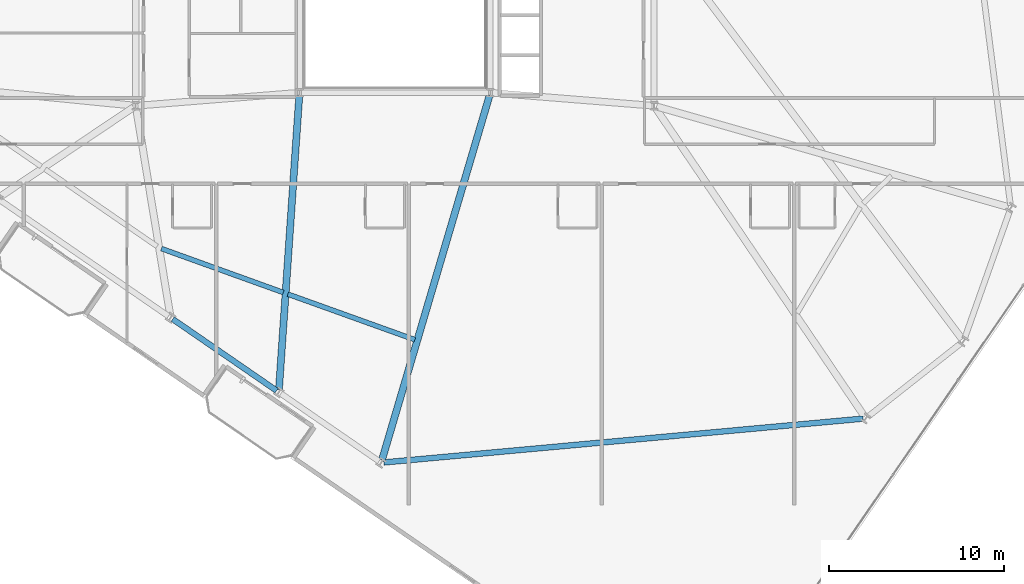
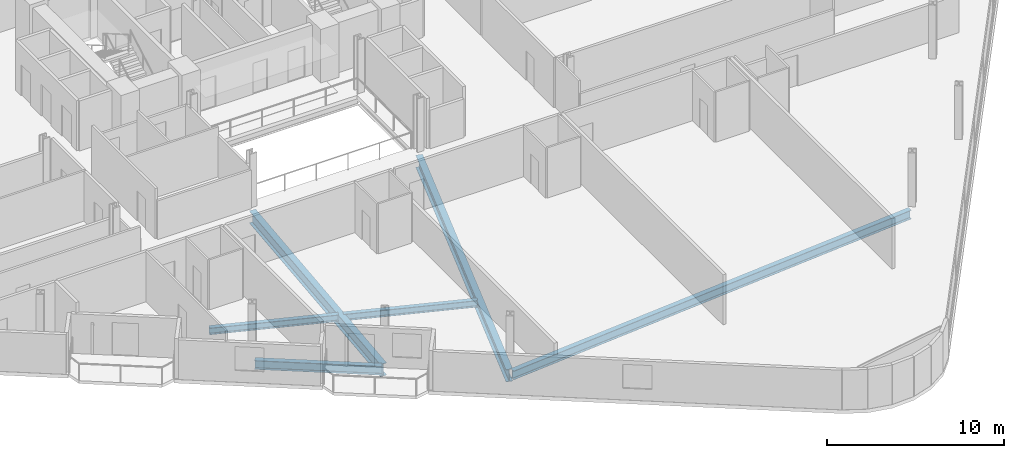
# One storey, part 3 of 26: 6 beams.
"""IFC4 building model written with IfcOpenShell, lengths in metres."""

from ifc_helpers import new_model, si_unit, direction, frame, origin, origin_2d, place, context, subcontext, project, spatial, i_section, extrude, material, material_profile, profile_set, type_object, element, save


model = new_model("IFC4")

# Units and contexts
model_context = context("Model", 3, precision=1e-05, world=origin(), true_north=direction((0.0, 1.0)))
body_context = subcontext(model_context, "Body", "Model", "MODEL_VIEW")
ifc_project = project(units=[si_unit("LENGTHUNIT", "METRE"), si_unit("AREAUNIT", "SQUARE_METRE"), si_unit("VOLUMEUNIT", "CUBIC_METRE"), si_unit("PLANEANGLEUNIT", "RADIAN"), si_unit("MASSUNIT", "GRAM", prefix="KILO")], contexts=[model_context])

# Site, building, storey
site_placement = place(None, origin())
site = spatial("IfcSite", under=ifc_project, at=site_placement, CompositionType="ELEMENT")
building_placement = place(site_placement, origin())
building = spatial("IfcBuilding", under=site, at=building_placement, Name="Varnelok Gate Tower", CompositionType="ELEMENT")
storey_placement = place(building_placement, frame((0.0, 0.0, 45.5)))
storey = spatial("IfcBuildingStorey", under=building, at=storey_placement, Name="L10", CompositionType="ELEMENT", Elevation=45.5)

# Beams
ifc_material = material(Name="Structural Steel ASTM A992 Grade 50", Category="steel")
ifc_material_profile_1 = material_profile(ifc_material, i_section(OverallWidth=0.280029296875, OverallDepth=0.462890625, WebThickness=0.0107421875, FlangeThickness=0.017333984375, FilletRadius=0.014892578125, at=origin_2d()), Name="W18X76")
ifc_profile_set_1 = profile_set([ifc_material_profile_1], Name="Structural Steel ASTM A992 Grade 50")
beam_type_1 = type_object("IfcBeamType", Name="BM-JST-W18X76", PredefinedType="JOIST", material=ifc_profile_set_1)
beam_1_placement = place(storey_placement, frame((25.86572265625, 10.648681640625, -0.4814453125), z_axis=(0.940777992095, -0.339023258183, 0.0), x_axis=(0.339023258183, 0.940777992095, 0.0)))
element("IfcBeam", 1, at=beam_1_placement, inside=storey, type_object=beam_type_1, Name="L10 Sector Floor Joist 3", PredefinedType="JOIST", context=body_context, shape_type="SweptSolid", body=[
    extrude(i_section(OverallWidth=0.280029296875, OverallDepth=0.462890625, WebThickness=0.0107421875, FlangeThickness=0.017333984375, FilletRadius=0.014892578125, at=origin_2d()), origin(), (0.0, 0.0, 1.0), 7.398681640625),
])
beam_2_placement = place(storey_placement, frame((33.089599609375, 8.0458984375, -0.4814453125), z_axis=(0.941149704194, -0.337989991412, 0.0), x_axis=(0.337989991412, 0.941149704194, 0.0)))
element("IfcBeam", 2, at=beam_2_placement, inside=storey, type_object=beam_type_1, Name="L10 Sector Floor Joist 4", PredefinedType="JOIST", context=body_context, shape_type="SweptSolid", body=[
    extrude(i_section(OverallWidth=0.280029296875, OverallDepth=0.462890625, WebThickness=0.0107421875, FlangeThickness=0.017333984375, FilletRadius=0.014892578125, at=origin_2d()), origin(), (0.0, 0.0, 1.0), 7.704345703125),
])
ifc_material_profile_2 = material_profile(ifc_material, i_section(OverallWidth=0.39892578125, OverallDepth=0.85498046875, WebThickness=0.018310546875, FlangeThickness=0.029296875, FilletRadius=0.02392578125, at=origin_2d()), Name="W33X201")
ifc_profile_set_2 = profile_set([ifc_material_profile_2], Name="Structural Steel ASTM A992 Grade 50")
beam_type_2 = type_object("IfcBeamType", Name="BM-PRI-W33X201", PredefinedType="BEAM", material=ifc_profile_set_2)
beam_3_placement = place(storey_placement, frame((33.73974609375, 19.400390625, -0.677490234375), z_axis=(-0.068990652765, -0.997617306301, 0.0), x_axis=(0.997617306301, -0.068990652765, 0.0)))
element("IfcBeam", 3, at=beam_3_placement, inside=storey, type_object=beam_type_2, Name="L10 Radial Floor Girder 4", PredefinedType="BEAM", context=body_context, shape_type="SweptSolid", body=[
    extrude(i_section(OverallWidth=0.39892578125, OverallDepth=0.85498046875, WebThickness=0.018310546875, FlangeThickness=0.029296875, FilletRadius=0.02392578125, at=origin_2d()), origin(), (0.0, 0.0, 1.0), 16.8408203125),
])
beam_4_placement = place(storey_placement, frame((44.607421875, 19.406005859375, -0.677490234375), z_axis=(-0.283059829362, -0.959102253673, 0.0), x_axis=(0.959102253673, -0.283059829362, 0.0)))
element("IfcBeam", 4, at=beam_4_placement, inside=storey, type_object=beam_type_2, Name="L10 Radial Floor Girder 5", PredefinedType="BEAM", context=body_context, shape_type="SweptSolid", body=[
    extrude(i_section(OverallWidth=0.39892578125, OverallDepth=0.85498046875, WebThickness=0.018310546875, FlangeThickness=0.029296875, FilletRadius=0.02392578125, at=origin_2d()), origin(), (0.0, 0.0, 1.0), 21.728271484375),
])
ifc_material_profile_3 = material_profile(ifc_material, i_section(OverallWidth=0.323974609375, OverallDepth=0.611083984375, WebThickness=0.0126953125, FlangeThickness=0.01904296875, FilletRadius=0.01806640625, at=origin_2d()), Name="W24X104")
ifc_profile_set_3 = profile_set([ifc_material_profile_3], Name="Structural Steel ASTM A992 Grade 50")
beam_type_3 = type_object("IfcBeamType", Name="BM-SPN-W24X104", PredefinedType="SPANDREL", material=ifc_profile_set_3)
beam_5_placement = place(storey_placement, frame((26.5146484375, 6.619384765625, -0.555419921875), z_axis=(0.823539986654, -0.56725822196, 0.0), x_axis=(0.56725822196, 0.823539986654, 0.0)))
element("IfcBeam", 5, at=beam_5_placement, inside=storey, type_object=beam_type_3, Name="L10 Perimeter Spandrel Beam 3", PredefinedType="SPANDREL", context=body_context, shape_type="SweptSolid", body=[
    extrude(i_section(OverallWidth=0.323974609375, OverallDepth=0.611083984375, WebThickness=0.0126953125, FlangeThickness=0.01904296875, FilletRadius=0.01806640625, at=origin_2d()), origin(), (0.0, 0.0, 1.0), 7.199951171875),
])
beam_6_placement = place(storey_placement, frame((38.56396484375, -1.563720703125, -0.555419921875), z_axis=(0.995845891963, 0.091054705864, 0.0), x_axis=(-0.091054705864, 0.995845891963, 0.0)))
element("IfcBeam", 6, at=beam_6_placement, inside=storey, type_object=beam_type_3, Name="L10 Perimeter Spandrel Beam 5", PredefinedType="SPANDREL", context=body_context, shape_type="SweptSolid", body=[
    extrude(i_section(OverallWidth=0.323974609375, OverallDepth=0.611083984375, WebThickness=0.0126953125, FlangeThickness=0.01904296875, FilletRadius=0.01806640625, at=origin_2d()), origin(), (0.0, 0.0, 1.0), 27.485595703125),
])

save(model, "model.ifc")
